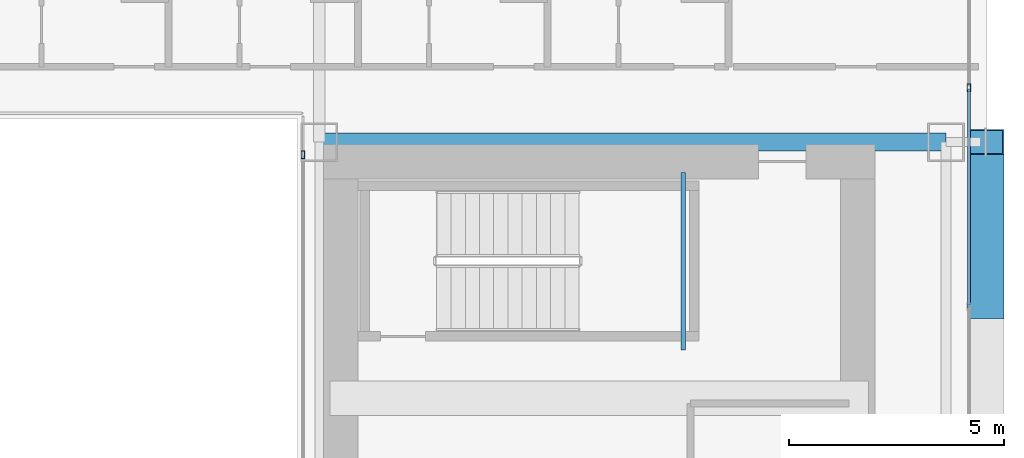
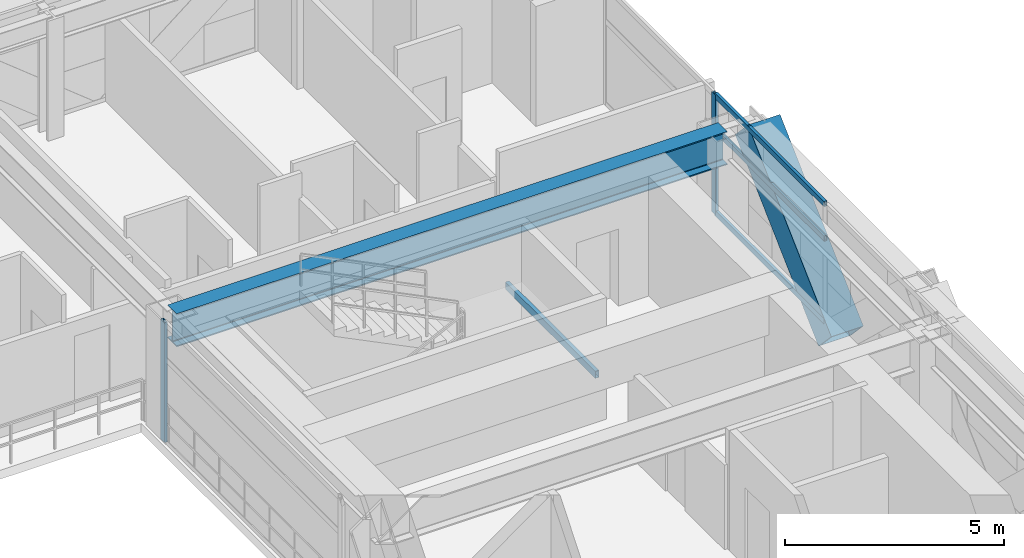
# One storey, part 23 of 41: 6 members, 2 beams, 2 elements without a shape of their own.
"""IFC4 building model written with IfcOpenShell, lengths in metres."""

from ifc_helpers import new_model, si_unit, direction, frame, origin, origin_2d, place, context, subcontext, project, spatial, hollow_rectangle, i_section, extrude, source, transform, mapped, material, layer, layer_set, material_profile, profile_set, type_object, element, aggregate, save


model = new_model("IFC4")

# Units and contexts
model_context = context("Model", 3, precision=1e-05, world=origin(), true_north=direction((0.0, 1.0)))
body_context = subcontext(model_context, "Body", "Model", "MODEL_VIEW")
ifc_project = project(units=[si_unit("LENGTHUNIT", "METRE"), si_unit("AREAUNIT", "SQUARE_METRE"), si_unit("VOLUMEUNIT", "CUBIC_METRE"), si_unit("PLANEANGLEUNIT", "RADIAN"), si_unit("MASSUNIT", "GRAM", prefix="KILO")], contexts=[model_context])

# Site, building, storey
site_placement = place(None, origin())
site = spatial("IfcSite", under=ifc_project, at=site_placement, CompositionType="ELEMENT")
building_placement = place(site_placement, origin())
building = spatial("IfcBuilding", under=site, at=building_placement, Name="Ocotamira Hotel", CompositionType="ELEMENT")
storey_placement = place(building_placement, frame((0.0, 0.0, 38.39990234375)))
storey = spatial("IfcBuildingStorey", under=building, at=storey_placement, Name="L08", CompositionType="ELEMENT", Elevation=38.39990234375)

# Beams
ifc_material_1 = material(Name="Steel ASTM A500 Grade C", Category="steel")
ifc_material_profile_1 = material_profile(ifc_material_1, hollow_rectangle(XDim=0.10009765625, YDim=0.199951171875, WallThickness=0.008056640625, at=origin_2d()), Name="HSS200X100X8")
ifc_profile_set_1 = profile_set([ifc_material_profile_1], Name="Steel ASTM A500 Grade C")
beam_type_1 = type_object("IfcBeamType", Name="BM-STLDG-HSS200", PredefinedType="BEAM", material=ifc_profile_set_1)
shared_shape_1 = source(origin(), body_context, "Body", "SweptSolid", [
    extrude(hollow_rectangle(XDim=0.10009765625, YDim=0.199951171875, WallThickness=0.008056640625, at=origin_2d()), origin(), (0.0, 0.0, 1.0), 4.1201171875),
])
beam_1_placement = place(storey_placement, frame((48.949951171875, 32.6298828125, 1.5), z_axis=(0.0, 1.0, 0.0), x_axis=(-1.0, 0.0, 0.0)))
element("IfcBeam", 1, at=beam_1_placement, inside=storey, type_object=beam_type_1, Name="L08 Stair ST-4 Landing Bearer 1", PredefinedType="BEAM", context=body_context, shape_type="MappedRepresentation", body=[
    mapped(shared_shape_1, transform((0.0, 0.0, 0.0), scale=1.0)),
])
ifc_material_2 = material(Name="Steel ASTM A992 Grade 50", Category="steel")
ifc_material_profile_2 = material_profile(ifc_material_2, i_section(OverallWidth=0.41796875, OverallDepth=0.927001953125, WebThickness=0.019287109375, FlangeThickness=0.031982421875, FilletRadius=0.02392578125, at=origin_2d()), Name="W36X231")
ifc_profile_set_2 = profile_set([ifc_material_profile_2], Name="Steel ASTM A992 Grade 50")
beam_type_2 = type_object("IfcBeamType", Name="BM-GIRD-W36X231", PredefinedType="BEAM", material=ifc_profile_set_2)
shared_shape_2 = source(origin(), body_context, "Body", "SweptSolid", [
    extrude(i_section(OverallWidth=0.41796875, OverallDepth=0.927001953125, WebThickness=0.019287109375, FlangeThickness=0.031982421875, FilletRadius=0.02392578125, at=origin_2d()), origin(), (0.0, 0.0, 1.0), 14.550048828125),
])
beam_2_placement = place(storey_placement, frame((40.5, 37.449951171875, 2.88671875), z_axis=(1.0, 0.0, 0.0), x_axis=(0.0, 1.0, 0.0)))
element("IfcBeam", 2, at=beam_2_placement, inside=storey, type_object=beam_type_2, Name="L08 Girder Y37.45 X40.5-55.05", PredefinedType="BEAM", context=body_context, shape_type="MappedRepresentation", body=[
    mapped(shared_shape_2, transform((0.0, 0.0, 0.0), scale=1.0)),
])

# Member
ifc_material_3 = material(Name="Pale-metal coated steel ASTM A913 Grade 65", Category="steel")
ifc_material_profile_3 = material_profile(ifc_material_3, hollow_rectangle(XDim=0.85009765625, YDim=0.85009765625, WallThickness=0.035888671875, at=origin_2d()), Name="BOX850X850X36")
ifc_profile_set_3 = profile_set([ifc_material_profile_3], Name="Pale-metal coated steel ASTM A913 Grade 65")
member_type_1 = type_object("IfcMemberType", Name="MEM-EXO-BOX850", PredefinedType="BRACE", material=ifc_profile_set_3)
shared_shape_3 = source(origin(), body_context, "Body", "SweptSolid", [
    extrude(hollow_rectangle(XDim=0.85009765625, YDim=0.85009765625, WallThickness=0.035888671875, at=origin_2d()), origin(), (0.0, 0.0, 1.0), 5.24658203125),
])
member_1_placement = place(storey_placement, frame((55.969970703125, 33.63330078125, -0.5), z_axis=(0.0, 0.727442733726, 0.686168397078), x_axis=(-1.0, 0.0, 0.0)))
element("IfcMember", 3, at=member_1_placement, inside=storey, type_object=member_type_1, Name="L08 Exoskeleton Diagrid E2.2", PredefinedType="BRACE", context=body_context, shape_type="MappedRepresentation", body=[
    mapped(shared_shape_3, transform((0.0, 0.0, 0.0), scale=1.0)),
])

# Curtain wall, members
ifc_material_4 = material(Name="Anodised pale-metal aluminium and solar glass", Category="aluminium")
ifc_layer_1 = layer(ifc_material_4, 0.179931640625)
ifc_layer_set_1 = layer_set([ifc_layer_1], Name="Anodised pale-metal aluminium and solar glass")
curtain_wall_type_1 = type_object("IfcCurtainWallType", Name="CW-SYS2-Z1", PredefinedType="NOTDEFINED", material=ifc_layer_set_1)
curtain_wall_1_placement = place(storey_placement, origin())
curtain_wall_1 = element("IfcCurtainWall", 4, at=curtain_wall_1_placement, inside=storey, type_object=curtain_wall_type_1, Name="L08 Curtain Wall CW-2 CW-L08-E", PredefinedType="NOTDEFINED")
ifc_material_5 = material(Name="Anodised pale-metal aluminium 6063-T6", Category="aluminium")
ifc_material_profile_4 = material_profile(ifc_material_5, hollow_rectangle(XDim=0.074951171875, YDim=0.14990234375, WallThickness=0.006103515625, at=origin_2d()), Name="HSS150X75X6")
ifc_profile_set_4 = profile_set([ifc_material_profile_4], Name="Anodised pale-metal aluminium 6063-T6")
member_type_2 = type_object("IfcMemberType", Name="CWT-150X75", PredefinedType="USERDEFINED", material=ifc_profile_set_4)
shared_shape_4 = source(origin(), body_context, "Body", "SweptSolid", [
    extrude(hollow_rectangle(XDim=0.074951171875, YDim=0.14990234375, WallThickness=0.006103515625, at=origin_2d()), origin(), (0.0, 0.0, 1.0), 5.005859375),
])
member_2_placement = place(storey_placement, frame((55.580078125, 33.66845703125, 0.03759765625), z_axis=(0.0, 1.0, 0.0), x_axis=(-1.0, 0.0, 0.0)))
member_2 = element("IfcMember", 5, at=member_2_placement, type_object=member_type_2, Name="CW-2 transom 6.1", ObjectType="TRANSOM", PredefinedType="USERDEFINED", context=body_context, shape_type="MappedRepresentation", body=[
    mapped(shared_shape_4, transform((0.0, 0.0, 0.0), scale=1.0)),
])
member_3_placement = place(storey_placement, frame((55.580078125, 33.66845703125, 2.35009765625), z_axis=(0.0, 1.0, 0.0), x_axis=(-1.0, 0.0, 0.0)))
member_3 = element("IfcMember", 6, at=member_3_placement, type_object=member_type_2, Name="CW-2 transom 6.2", ObjectType="TRANSOM", PredefinedType="USERDEFINED", context=body_context, shape_type="MappedRepresentation", body=[
    mapped(shared_shape_4, transform((0.0, 0.0, 0.0), scale=1.0)),
])
member_4_placement = place(storey_placement, frame((55.580078125, 33.66845703125, 3.3125), z_axis=(0.0, 1.0, 0.0), x_axis=(-1.0, 0.0, 0.0)))
member_4 = element("IfcMember", 7, at=member_4_placement, type_object=member_type_2, Name="CW-2 transom 6.3", ObjectType="TRANSOM", PredefinedType="USERDEFINED", context=body_context, shape_type="MappedRepresentation", body=[
    mapped(shared_shape_4, transform((0.0, 0.0, 0.0), scale=1.0)),
])
ifc_material_profile_5 = material_profile(ifc_material_5, hollow_rectangle(XDim=0.080078125, YDim=0.179931640625, WallThickness=0.006103515625, at=origin_2d()), Name="HSS180X80X6")
ifc_profile_set_5 = profile_set([ifc_material_profile_5], Name="Anodised pale-metal aluminium 6063-T6")
member_type_3 = type_object("IfcMemberType", Name="CWM-180X75", PredefinedType="MULLION", material=ifc_profile_set_5)
shared_shape_5 = source(origin(), body_context, "Body", "SweptSolid", [
    extrude(hollow_rectangle(XDim=0.080078125, YDim=0.179931640625, WallThickness=0.006103515625, at=origin_2d()), origin(), (0.0, 0.0, 1.0), 3.35009765625),
])
member_5_placement = place(storey_placement, frame((55.580078125, 38.71435546875, 0.0), z_axis=(0.0, 0.0, 1.0), x_axis=(-1.0, 0.0, 0.0)))
member_5 = element("IfcMember", 8, at=member_5_placement, type_object=member_type_3, Name="CW-2 mullion 7", PredefinedType="MULLION", context=body_context, shape_type="MappedRepresentation", body=[
    mapped(shared_shape_5, transform((0.0, 0.0, 0.0), scale=1.0)),
])
aggregate(curtain_wall_1, [member_5, member_2, member_3, member_4])

# Curtain wall, member
ifc_layer_2 = layer(ifc_material_4, 0.159912109375)
ifc_layer_set_2 = layer_set([ifc_layer_2], Name="Anodised pale-metal aluminium and solar glass")
curtain_wall_type_2 = type_object("IfcCurtainWallType", Name="CW-SYS6-ATR", PredefinedType="NOTDEFINED", material=ifc_layer_set_2)
curtain_wall_2_placement = place(storey_placement, origin())
curtain_wall_2 = element("IfcCurtainWall", 9, at=curtain_wall_2_placement, inside=storey, type_object=curtain_wall_type_2, Name="L08 Curtain Wall CW-6 CW-L08-ATRE2", PredefinedType="NOTDEFINED")
member_6_placement = place(storey_placement, frame((40.1201171875, 37.159912109375, 0.0), z_axis=(0.0, 0.0, 1.0), x_axis=(-1.0, 0.0, 0.0)))
member_6 = element("IfcMember", 10, at=member_6_placement, type_object=member_type_3, Name="CW-6 mullion 2", PredefinedType="MULLION", context=body_context, shape_type="MappedRepresentation", body=[
    mapped(shared_shape_5, transform((0.0, 0.0, 0.0), scale=1.0)),
])
aggregate(curtain_wall_2, [member_6])

save(model, "model.ifc")
